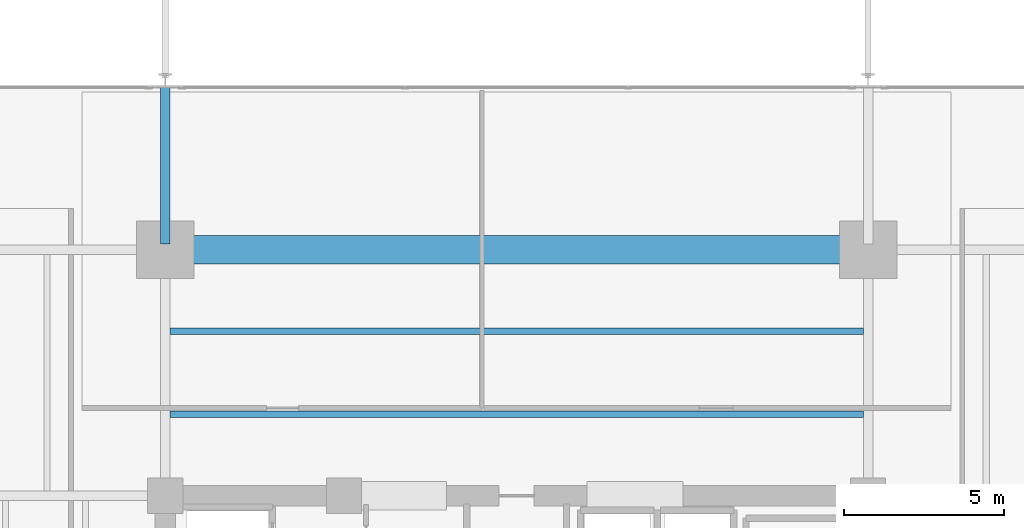
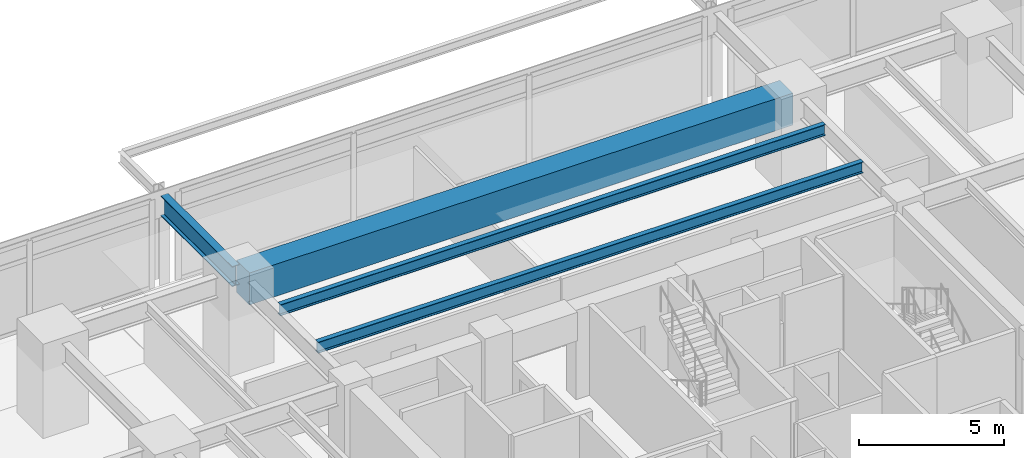
# One storey, part 8 of 20: 4 beams.
"""IFC4 building model written with IfcOpenShell, lengths in metres."""

from ifc_helpers import new_model, si_unit, direction, frame, origin, origin_2d, place, context, subcontext, project, spatial, rectangle, i_section, extrude, material, material_profile, profile_set, type_object, element, save


model = new_model("IFC4")

# Units and contexts
model_context = context("Model", 3, precision=1e-05, world=origin(), true_north=direction((0.0, 1.0)))
body_context = subcontext(model_context, "Body", "Model", "MODEL_VIEW")
ifc_project = project(units=[si_unit("LENGTHUNIT", "METRE"), si_unit("AREAUNIT", "SQUARE_METRE"), si_unit("VOLUMEUNIT", "CUBIC_METRE"), si_unit("PLANEANGLEUNIT", "RADIAN"), si_unit("MASSUNIT", "GRAM", prefix="KILO")], contexts=[model_context])

# Site, building, storey
site_placement = place(None, origin())
site = spatial("IfcSite", under=ifc_project, at=site_placement, CompositionType="ELEMENT")
building_placement = place(site_placement, origin())
building = spatial("IfcBuilding", under=site, at=building_placement, Name="Kovane Verandah Tower", CompositionType="ELEMENT")
storey_placement = place(building_placement, frame((0.0, 0.0, 35.60009765625)))
storey = spatial("IfcBuildingStorey", under=building, at=storey_placement, Name="L07", CompositionType="ELEMENT", Elevation=35.60009765625)

# Beams
ifc_material_1 = material(Name="Concrete C80/95", Category="concrete")
ifc_material_profile_1 = material_profile(ifc_material_1, rectangle(XDim=0.89990234375, YDim=1.35009765625, at=origin_2d()), Name="RCB900x1350")
ifc_profile_set_1 = profile_set([ifc_material_profile_1], Name="Concrete C80/95")
beam_type_1 = type_object("IfcBeamType", Name="BM-TR-900x1350", PredefinedType="BEAM", material=ifc_profile_set_1)
beam_1_placement = place(storey_placement, frame((29.179931640625, 44.199951171875, 3.0849609375), z_axis=(1.0, 0.0, 0.0), x_axis=(0.0, 1.0, 0.0)))
element("IfcBeam", 1, at=beam_1_placement, inside=storey, type_object=beam_type_1, Name="L07 Primary Tower Girder G-RN2", PredefinedType="BEAM", context=body_context, shape_type="SweptSolid", body=[
    extrude(rectangle(XDim=0.89990234375, YDim=1.35009765625, at=origin_2d()), origin(), (0.0, 0.0, 1.0), 21.64013671875),
])
ifc_material_2 = material(Name="Steel S355", Category="steel")
ifc_material_profile_2 = material_profile(ifc_material_2, i_section(OverallWidth=0.293701171875, OverallDepth=0.850830078125, WebThickness=0.01611328125, FlangeThickness=0.02685546875, FilletRadius=0.017822265625, at=origin_2d()), Name="UB838x292x226")
ifc_profile_set_2 = profile_set([ifc_material_profile_2], Name="Steel S355")
beam_type_2 = type_object("IfcBeamType", Name="BM-UB838x226", PredefinedType="BEAM", material=ifc_profile_set_2)
beam_2_placement = place(storey_placement, frame((29.0, 44.3798828125, 3.33447265625), z_axis=(0.0, 1.0, 0.0), x_axis=(-1.0, 0.0, 0.0)))
element("IfcBeam", 2, at=beam_2_placement, inside=storey, type_object=beam_type_2, Name="L07 Primary Tower Girder G-VN1", PredefinedType="BEAM", context=body_context, shape_type="SweptSolid", body=[
    extrude(i_section(OverallWidth=0.293701171875, OverallDepth=0.850830078125, WebThickness=0.01611328125, FlangeThickness=0.02685546875, FilletRadius=0.017822265625, at=origin_2d()), origin(), (0.0, 0.0, 1.0), 4.940185546875),
])
ifc_material_profile_3 = material_profile(ifc_material_2, i_section(OverallWidth=0.19287109375, OverallDepth=0.46728515625, WebThickness=0.011474609375, FlangeThickness=0.01953125, FilletRadius=0.01025390625, at=origin_2d()), Name="UB457x191x98")
ifc_profile_set_3 = profile_set([ifc_material_profile_3], Name="Steel S355")
beam_type_3 = type_object("IfcBeamType", Name="JST-UB457x98", PredefinedType="JOIST", material=ifc_profile_set_3)
for number, where, z_axis, x_axis, name in (
    (3, (29.14501953125, 39.050048828125, 3.5263671875), (1.0, 0.0, 0.0), (0.0, 1.0, 0.0), "L07 Secondary Composite Joist J-N1"),
    (4, (29.14501953125, 41.64990234375, 3.5263671875), (1.0, 0.0, 0.0), (0.0, 1.0, 0.0), "L07 Secondary Composite Joist J-N2"),
):
    element("IfcBeam", number, at=place(storey_placement, frame(where, z_axis=z_axis, x_axis=x_axis)), inside=storey, type_object=beam_type_3, Name=name, PredefinedType="JOIST", context=body_context, shape_type="SweptSolid", body=[
        extrude(i_section(OverallWidth=0.19287109375, OverallDepth=0.46728515625, WebThickness=0.011474609375, FlangeThickness=0.01953125, FilletRadius=0.01025390625, at=origin_2d()), origin(), (0.0, 0.0, 1.0), 21.7099609375),
    ])

save(model, "model.ifc")
